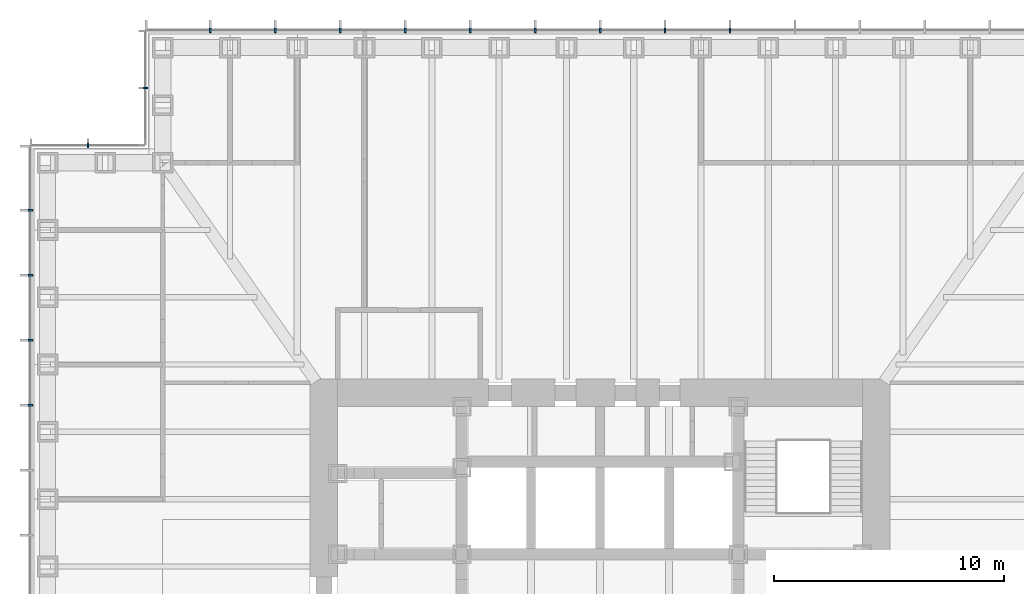
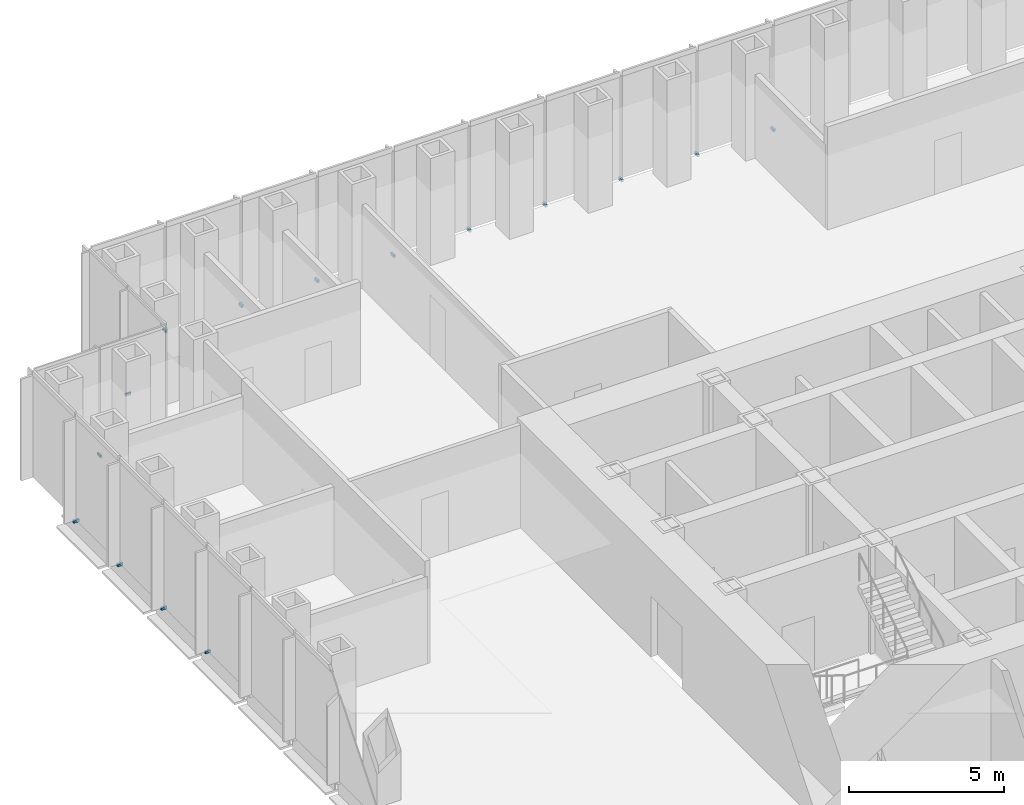
# One storey, part 15 of 17: 15 discrete accessories.
"""IFC4 building model written with IfcOpenShell, lengths in metres."""

from ifc_helpers import new_model, si_unit, direction, frame, origin, origin_2d, place, context, subcontext, project, spatial, rectangle, extrude, element, save


model = new_model("IFC4")

# Units and contexts
model_context = context("Model", 3, precision=1e-05, world=origin(), true_north=direction((0.0, 1.0)))
body_context = subcontext(model_context, "Body", "Model", "MODEL_VIEW")
ifc_project = project(units=[si_unit("LENGTHUNIT", "METRE"), si_unit("AREAUNIT", "SQUARE_METRE"), si_unit("VOLUMEUNIT", "CUBIC_METRE"), si_unit("PLANEANGLEUNIT", "RADIAN"), si_unit("MASSUNIT", "GRAM", prefix="KILO")], contexts=[model_context])

# Site, building, storey
site_placement = place(None, origin())
site = spatial("IfcSite", under=ifc_project, at=site_placement, CompositionType="ELEMENT")
building_placement = place(site_placement, origin())
building = spatial("IfcBuilding", under=site, at=building_placement, Name="Daluyong Arena Tower", CompositionType="ELEMENT")
storey_placement = place(building_placement, frame((0.0, 0.0, 81.10009765625)))
storey = spatial("IfcBuildingStorey", under=building, at=storey_placement, Name="L17", CompositionType="ELEMENT", Elevation=81.10009765625)

# Discrete accessories
for number, where, z_axis, x_axis, name in (
    (1, (61.642822265625, 104.75, -0.10009765625), (0.0, 0.0, 1.0), (-1.0, 0.0, 0.0), "curtain wall L17 N anchor bracket 6"),
    (2, (58.821533203125, 104.75, -0.10009765625), (0.0, 0.0, 1.0), (-1.0, 0.0, 0.0), "curtain wall L17 N anchor bracket 7"),
    (3, (56.0, 104.75, -0.10009765625), (0.0, 0.0, 1.0), (-1.0, 0.0, 0.0), "curtain wall L17 N anchor bracket 8"),
    (4, (53.178466796875, 104.75, -0.10009765625), (0.0, 0.0, 1.0), (-1.0, 0.0, 0.0), "curtain wall L17 N anchor bracket 9"),
    (5, (50.357177734375, 104.75, -0.10009765625), (0.0, 0.0, 1.0), (-1.0, 0.0, 0.0), "curtain wall L17 N anchor bracket 10"),
    (6, (47.53564453125, 104.75, -0.10009765625), (0.0, 0.0, 1.0), (-1.0, 0.0, 0.0), "curtain wall L17 N anchor bracket 11"),
    (7, (44.71435546875, 104.75, -0.10009765625), (0.0, 0.0, 1.0), (-1.0, 0.0, 0.0), "curtain wall L17 N anchor bracket 12"),
    (8, (41.892822265625, 104.75, -0.10009765625), (0.0, 0.0, 1.0), (-1.0, 0.0, 0.0), "curtain wall L17 N anchor bracket 13"),
    (9, (39.071533203125, 104.75, -0.10009765625), (0.0, 0.0, 1.0), (-1.0, 0.0, 0.0), "curtain wall L17 N anchor bracket 14"),
):
    element("IfcDiscreteAccessory", number, at=place(storey_placement, frame(where, z_axis=z_axis, x_axis=x_axis)), inside=storey, Name=name, PredefinedType="BRACKET", context=body_context, shape_type="SweptSolid", body=[
        extrude(rectangle(XDim=0.080078125, YDim=0.199951171875, at=origin_2d()), origin(), (0.0, 0.0, 1.0), 0.10009765625),
    ])
for number, where, z_axis, x_axis, name in (
    (10, (36.25, 102.25, -0.10009765625), (0.0, 0.0, 1.0), (0.0, -1.0, 0.0), "curtain wall L17 NW-W anchor bracket 2"),
    (11, (33.75, 99.75, -0.10009765625), (0.0, 0.0, 1.0), (-1.0, 0.0, 0.0), "curtain wall L17 NW-N anchor bracket 2"),
):
    element("IfcDiscreteAccessory", number, at=place(storey_placement, frame(where, z_axis=z_axis, x_axis=x_axis)), inside=storey, Name=name, PredefinedType="BRACKET", context=body_context, shape_type="SweptSolid", body=[
        extrude(rectangle(XDim=0.06005859375, YDim=0.199951171875, at=origin_2d()), origin(), (0.0, 0.0, 1.0), 0.10009765625),
    ])
for number, where, z_axis, x_axis, name in (
    (12, (31.25, 96.928466796875, -0.10009765625), (0.0, 0.0, 1.0), (0.0, -1.0, 0.0), "curtain wall L17 W anchor bracket 2"),
    (13, (31.25, 94.107177734375, -0.10009765625), (0.0, 0.0, 1.0), (0.0, -1.0, 0.0), "curtain wall L17 W anchor bracket 3"),
    (14, (31.25, 91.28564453125, -0.10009765625), (0.0, 0.0, 1.0), (0.0, -1.0, 0.0), "curtain wall L17 W anchor bracket 4"),
    (15, (31.25, 88.46435546875, -0.10009765625), (0.0, 0.0, 1.0), (0.0, -1.0, 0.0), "curtain wall L17 W anchor bracket 5"),
):
    element("IfcDiscreteAccessory", number, at=place(storey_placement, frame(where, z_axis=z_axis, x_axis=x_axis)), inside=storey, Name=name, PredefinedType="BRACKET", context=body_context, shape_type="SweptSolid", body=[
        extrude(rectangle(XDim=0.080078125, YDim=0.199951171875, at=origin_2d()), origin(), (0.0, 0.0, 1.0), 0.10009765625),
    ])

save(model, "model.ifc")
